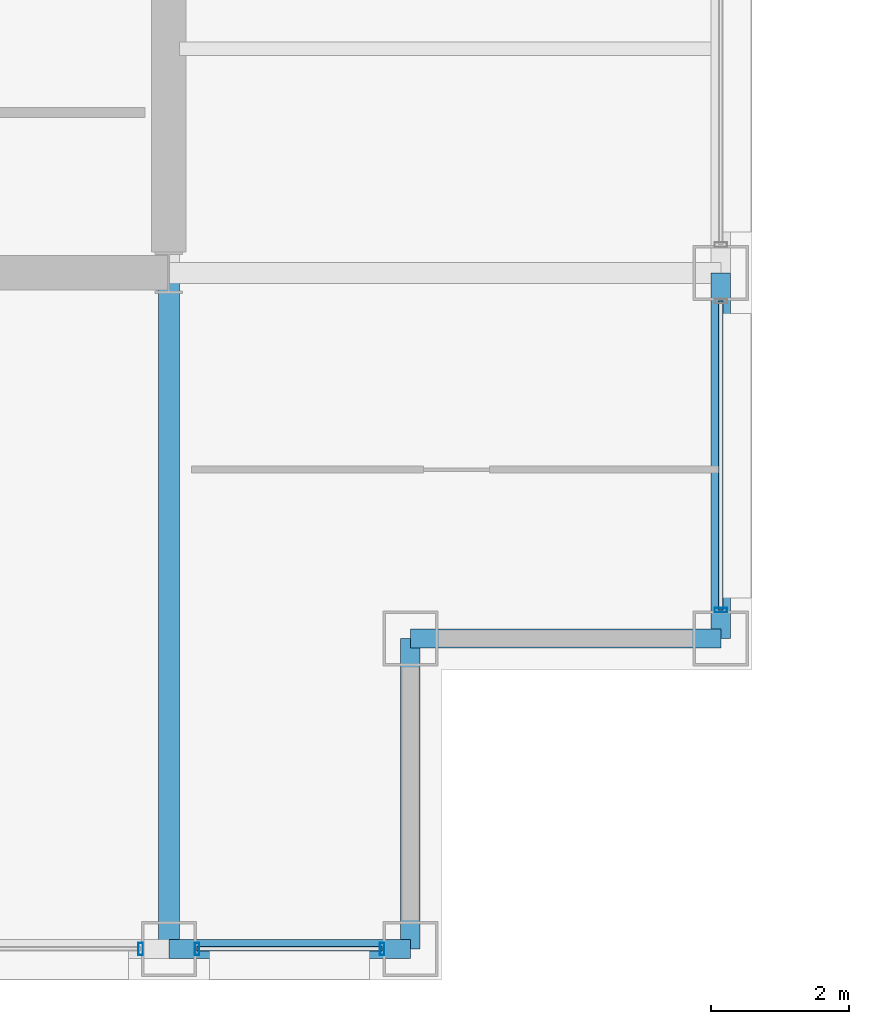
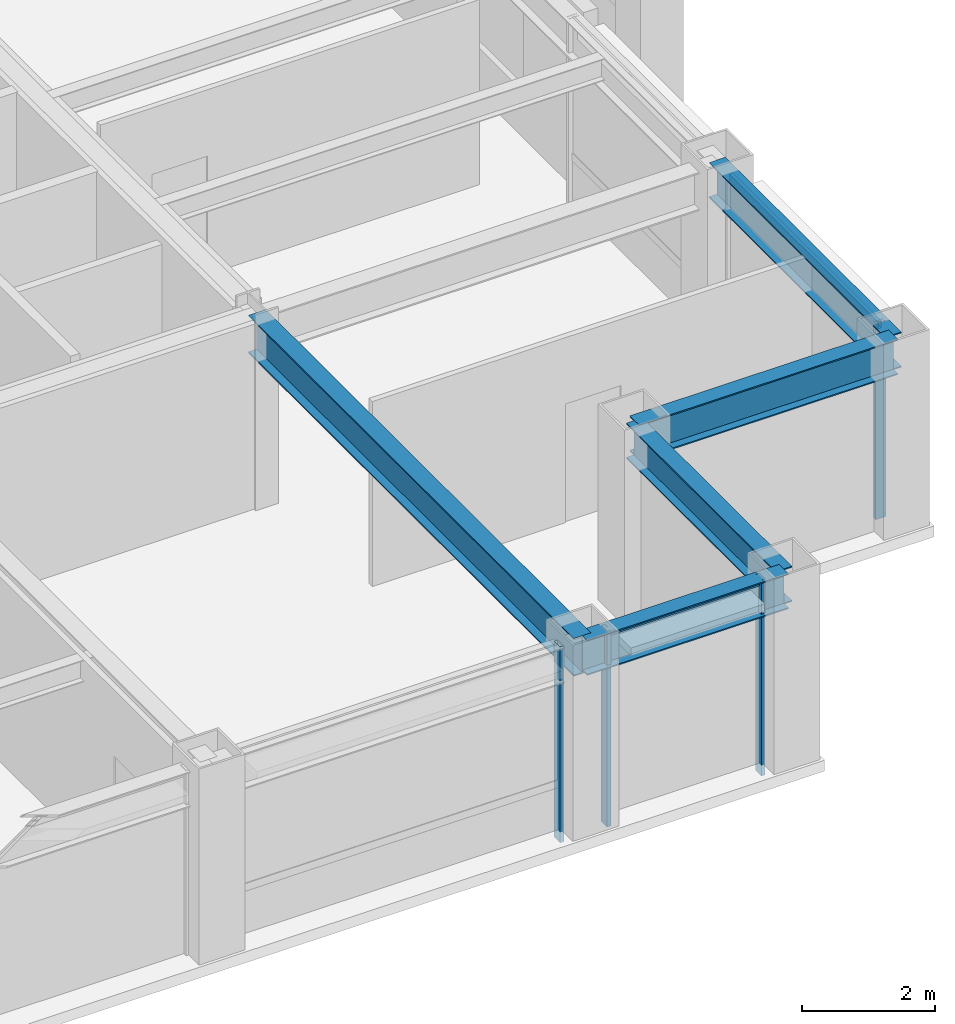
# One storey, part 12 of 29: 6 members, 5 beams, 3 elements without a shape of their own.
"""IFC4 building model written with IfcOpenShell, lengths in metres."""

from ifc_helpers import new_model, si_unit, direction, frame, origin, origin_2d, place, context, subcontext, project, spatial, hollow_rectangle, i_section, extrude, material, layer, layer_set, material_profile, profile_set, type_object, element, aggregate, save


model = new_model("IFC4")

# Units and contexts
model_context = context("Model", 3, precision=1e-05, world=origin(), true_north=direction((0.0, 1.0)))
body_context = subcontext(model_context, "Body", "Model", "MODEL_VIEW")
ifc_project = project(units=[si_unit("LENGTHUNIT", "METRE"), si_unit("AREAUNIT", "SQUARE_METRE"), si_unit("VOLUMEUNIT", "CUBIC_METRE"), si_unit("PLANEANGLEUNIT", "RADIAN"), si_unit("MASSUNIT", "GRAM", prefix="KILO")], contexts=[model_context])

# Site, building, storey
site_placement = place(None, origin())
site = spatial("IfcSite", under=ifc_project, at=site_placement, CompositionType="ELEMENT")
building_placement = place(site_placement, origin())
building = spatial("IfcBuilding", under=site, at=building_placement, Name="Brelmoor Portico Tower", CompositionType="ELEMENT")
storey_placement = place(building_placement, frame((0.0, 0.0, 127.800048828125)))
storey = spatial("IfcBuildingStorey", under=building, at=storey_placement, Name="L33", CompositionType="ELEMENT", Elevation=127.800048828125)

# Beams
ifc_material_1 = material(Name="Steel Q355B", Category="steel")
ifc_material_profile_1 = material_profile(ifc_material_1, i_section(OverallWidth=0.300048828125, OverallDepth=0.699951171875, WebThickness=0.012939453125, FlangeThickness=0.02392578125, at=origin_2d()), Name="HN 700x300x13x24")
ifc_profile_set_1 = profile_set([ifc_material_profile_1], Name="Steel Q355B")
beam_type_1 = type_object("IfcBeamType", Name="BM-PG-700", PredefinedType="BEAM", material=ifc_profile_set_1)
beam_1_placement = place(storey_placement, frame((14.550048828125, -19.550048828125, 3.050048828125), z_axis=(0.0, 1.0, 0.0), x_axis=(-1.0, 0.0, 0.0)))
element("IfcBeam", 1, at=beam_1_placement, inside=storey, type_object=beam_type_1, Name="L33 Primary Floor Girder PG-10", PredefinedType="BEAM", context=body_context, shape_type="SweptSolid", body=[
    extrude(i_section(OverallWidth=0.300048828125, OverallDepth=0.699951171875, WebThickness=0.012939453125, FlangeThickness=0.02392578125, at=origin_2d()), origin(), (0.0, 0.0, 1.0), 9.800048828125),
])
ifc_material_profile_2 = material_profile(ifc_material_1, i_section(OverallWidth=0.280029296875, OverallDepth=0.64990234375, WebThickness=0.012939453125, FlangeThickness=0.02197265625, at=origin_2d()), Name="HN 650x280x13x22")
ifc_profile_set_2 = profile_set([ifc_material_profile_2], Name="Steel Q355B")
beam_type_2 = type_object("IfcBeamType", Name="BM-SP-650", PredefinedType="SPANDREL", material=ifc_profile_set_2)
beam_2_placement = place(storey_placement, frame((14.550048828125, -19.550048828125, 3.074951171875), z_axis=(1.0, 0.0, 0.0), x_axis=(0.0, 1.0, 0.0)))
element("IfcBeam", 2, at=beam_2_placement, inside=storey, type_object=beam_type_2, Name="L33 Perimeter Spandrel Beam SP-05", PredefinedType="SPANDREL", context=body_context, shape_type="SweptSolid", body=[
    extrude(i_section(OverallWidth=0.280029296875, OverallDepth=0.64990234375, WebThickness=0.012939453125, FlangeThickness=0.02197265625, at=origin_2d()), origin(), (0.0, 0.0, 1.0), 3.5),
])
for number, where, z_axis, x_axis, name in (
    (3, (18.050048828125, -15.050048828125, 3.074951171875), (1.0, 0.0, 0.0), (0.0, 1.0, 0.0), "L33 Perimeter Spandrel Beam SP-07"),
    (4, (18.050048828125, -19.550048828125, 3.074951171875), (0.0, 1.0, 0.0), (-1.0, 0.0, 0.0), "L33 Perimeter Spandrel Beam SP-20"),
):
    element("IfcBeam", number, at=place(storey_placement, frame(where, z_axis=z_axis, x_axis=x_axis)), inside=storey, type_object=beam_type_2, Name=name, PredefinedType="SPANDREL", context=body_context, shape_type="SweptSolid", body=[
        extrude(i_section(OverallWidth=0.280029296875, OverallDepth=0.64990234375, WebThickness=0.012939453125, FlangeThickness=0.02197265625, at=origin_2d()), origin(), (0.0, 0.0, 1.0), 4.5),
    ])
beam_3_placement = place(storey_placement, frame((22.550048828125, -15.050048828125, 3.074951171875), z_axis=(0.0, 1.0, 0.0), x_axis=(-1.0, 0.0, 0.0)))
element("IfcBeam", 5, at=beam_3_placement, inside=storey, type_object=beam_type_2, Name="L33 Perimeter Spandrel Beam SP-22", PredefinedType="SPANDREL", context=body_context, shape_type="SweptSolid", body=[
    extrude(i_section(OverallWidth=0.280029296875, OverallDepth=0.64990234375, WebThickness=0.012939453125, FlangeThickness=0.02197265625, at=origin_2d()), origin(), (0.0, 0.0, 1.0), 5.300048828125),
])

# Curtain wall, member
ifc_material_2 = material(Name="Anodised Aluminium Alloy 6063-T6", Category="aluminium")
ifc_layer_1 = layer(ifc_material_2, 0.179931640625)
ifc_layer_set_1 = layer_set([ifc_layer_1], Name="Anodised Aluminium Alloy 6063-T6")
curtain_wall_type_1 = type_object("IfcCurtainWallType", Name="CW-TOWER-Z2", PredefinedType="NOTDEFINED", material=ifc_layer_set_1)
curtain_wall_1_placement = place(storey_placement, origin())
curtain_wall_1 = element("IfcCurtainWall", 6, at=curtain_wall_1_placement, inside=storey, type_object=curtain_wall_type_1, Name="L33 Curtain Wall CW-L33-01-4", PredefinedType="NOTDEFINED")
ifc_material_profile_3 = material_profile(ifc_material_2, hollow_rectangle(XDim=0.06494140625, YDim=0.179931640625, WallThickness=0.00390625, at=origin_2d()), Name="ALU MULLION 65x180")
ifc_profile_set_3 = profile_set([ifc_material_profile_3], Name="Anodised Aluminium Alloy 6063-T6")
member_type_1 = type_object("IfcMemberType", Name="MB-CW-MULL-180", PredefinedType="MULLION", material=ifc_profile_set_3)
member_1_placement = place(storey_placement, frame((14.139892578125, -19.550048828125, -0.199951171875), z_axis=(0.0, 0.0, 1.0), x_axis=(1.0, 0.0, 0.0)))
member_1 = element("IfcMember", 7, at=member_1_placement, type_object=member_type_1, Name="CW-L33-01-4 Mullion 01", PredefinedType="MULLION", context=body_context, shape_type="SweptSolid", body=[
    extrude(hollow_rectangle(XDim=0.06494140625, YDim=0.179931640625, WallThickness=0.00390625, at=origin_2d()), origin(), (0.0, 0.0, 1.0), 3.599853515625),
])
aggregate(curtain_wall_1, [member_1])

# Curtain wall, members
ifc_layer_2 = layer(ifc_material_2, 0.179931640625)
ifc_layer_set_2 = layer_set([ifc_layer_2], Name="Anodised Aluminium Alloy 6063-T6")
curtain_wall_type_2 = type_object("IfcCurtainWallType", Name="CW-TOWER-Z2-XB", PredefinedType="NOTDEFINED", material=ifc_layer_set_2)
curtain_wall_2_placement = place(storey_placement, origin())
curtain_wall_2 = element("IfcCurtainWall", 8, at=curtain_wall_2_placement, inside=storey, type_object=curtain_wall_type_2, Name="L33 Curtain Wall CW-L33-01-5", PredefinedType="NOTDEFINED")
member_2_placement = place(storey_placement, frame((14.9599609375, -19.550048828125, -0.199951171875), z_axis=(0.0, 0.0, 1.0), x_axis=(1.0, 0.0, 0.0)))
member_2 = element("IfcMember", 9, at=member_2_placement, type_object=member_type_1, Name="CW-L33-01-5 Mullion 00", PredefinedType="MULLION", context=body_context, shape_type="SweptSolid", body=[
    extrude(hollow_rectangle(XDim=0.06494140625, YDim=0.179931640625, WallThickness=0.00390625, at=origin_2d()), origin(), (0.0, 0.0, 1.0), 3.599853515625),
])
member_3_placement = place(storey_placement, frame((17.639892578125, -19.550048828125, -0.199951171875), z_axis=(0.0, 0.0, 1.0), x_axis=(1.0, 0.0, 0.0)))
member_3 = element("IfcMember", 10, at=member_3_placement, type_object=member_type_1, Name="CW-L33-01-5 Mullion 01", PredefinedType="MULLION", context=body_context, shape_type="SweptSolid", body=[
    extrude(hollow_rectangle(XDim=0.06494140625, YDim=0.179931640625, WallThickness=0.00390625, at=origin_2d()), origin(), (0.0, 0.0, 1.0), 3.599853515625),
])

# Curtain wall, member
curtain_wall_3_placement = place(storey_placement, origin())
curtain_wall_3 = element("IfcCurtainWall", 11, at=curtain_wall_3_placement, inside=storey, type_object=curtain_wall_type_2, Name="L33 Curtain Wall CW-L33-4L-1", PredefinedType="NOTDEFINED")
member_4_placement = place(storey_placement, frame((22.550048828125, -14.639892578125, -0.199951171875), z_axis=(0.0, 0.0, 1.0), x_axis=(0.0, 1.0, 0.0)))
member_4 = element("IfcMember", 12, at=member_4_placement, type_object=member_type_1, Name="CW-L33-4L-1 Mullion 00", PredefinedType="MULLION", context=body_context, shape_type="SweptSolid", body=[
    extrude(hollow_rectangle(XDim=0.06494140625, YDim=0.179931640625, WallThickness=0.00390625, at=origin_2d()), origin(), (0.0, 0.0, 1.0), 3.599853515625),
])

# Member
ifc_material_profile_4 = material_profile(ifc_material_2, hollow_rectangle(XDim=0.06494140625, YDim=0.139892578125, WallThickness=0.00390625, at=origin_2d()), Name="ALU TRANSOM 65x140")
ifc_profile_set_4 = profile_set([ifc_material_profile_4], Name="Anodised Aluminium Alloy 6063-T6")
member_type_2 = type_object("IfcMemberType", Name="MB-CW-TRAN-140", PredefinedType="USERDEFINED", material=ifc_profile_set_4)
member_5_placement = place(storey_placement, frame((14.9599609375, -19.550048828125, 3.329833984375), z_axis=(1.0, 0.0, 0.0), x_axis=(0.0, 1.0, 0.0)))
member_5 = element("IfcMember", 13, at=member_5_placement, type_object=member_type_2, Name="CW-L33-01-5 Transom 1-00", ObjectType="TRANSOM", PredefinedType="USERDEFINED", context=body_context, shape_type="SweptSolid", body=[
    extrude(hollow_rectangle(XDim=0.06494140625, YDim=0.139892578125, WallThickness=0.00390625, at=origin_2d()), origin(), (0.0, 0.0, 1.0), 2.679931640625),
])

aggregate(curtain_wall_2, [member_2, member_3, member_5])

member_6_placement = place(storey_placement, frame((22.550048828125, -14.639892578125, 3.329833984375), z_axis=(0.0, 1.0, 0.0), x_axis=(-1.0, 0.0, 0.0)))
member_6 = element("IfcMember", 14, at=member_6_placement, type_object=member_type_2, Name="CW-L33-4L-1 Transom 1-00", ObjectType="TRANSOM", PredefinedType="USERDEFINED", context=body_context, shape_type="SweptSolid", body=[
    extrude(hollow_rectangle(XDim=0.06494140625, YDim=0.139892578125, WallThickness=0.00390625, at=origin_2d()), origin(), (0.0, 0.0, 1.0), 4.47998046875),
])

aggregate(curtain_wall_3, [member_4, member_6])

save(model, "model.ifc")
